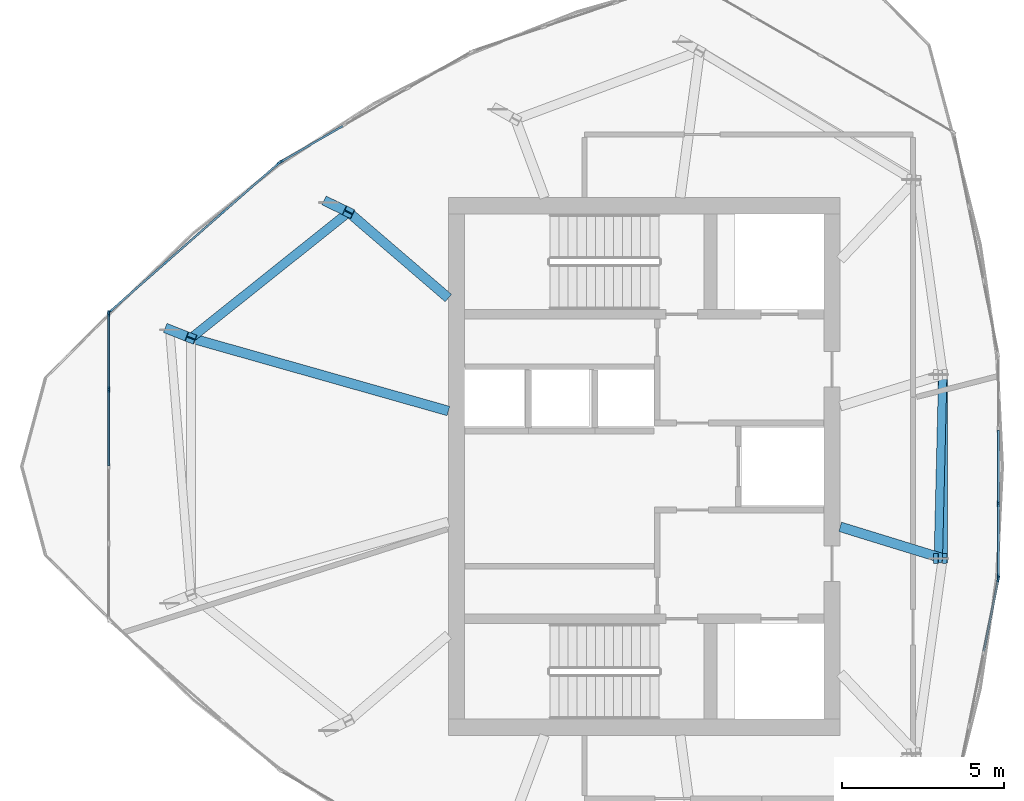
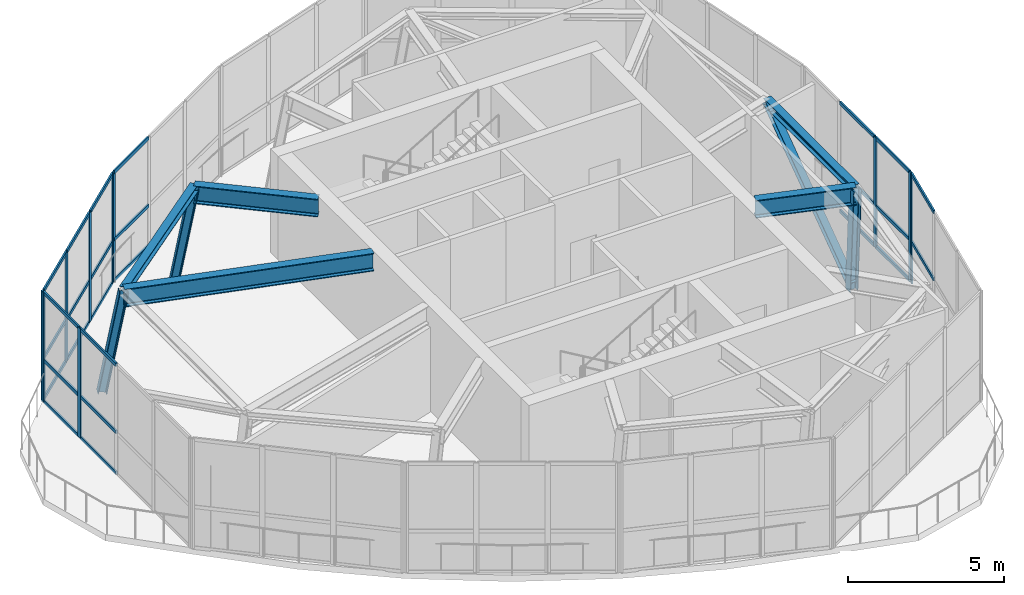
# One storey, part 3 of 11: 42 members, 3 beams, 5 elements without a shape of their own.
"""IFC4 building model written with IfcOpenShell, lengths in metres."""

from ifc_helpers import new_model, si_unit, direction, frame, origin, origin_2d, place, context, subcontext, project, spatial, rectangle, i_section, extrude, source, transform, mapped, material, layer, layer_set, material_profile, profile_set, type_object, element, aggregate, save


model = new_model("IFC4")

# Units and contexts
model_context = context("Model", 3, precision=1e-05, world=origin(), true_north=direction((0.0, 1.0)))
body_context = subcontext(model_context, "Body", "Model", "MODEL_VIEW")
ifc_project = project(units=[si_unit("LENGTHUNIT", "METRE"), si_unit("AREAUNIT", "SQUARE_METRE"), si_unit("VOLUMEUNIT", "CUBIC_METRE"), si_unit("PLANEANGLEUNIT", "RADIAN"), si_unit("MASSUNIT", "GRAM", prefix="KILO")], contexts=[model_context])

# Site, building, storey
site_placement = place(None, origin())
site = spatial("IfcSite", under=ifc_project, at=site_placement, CompositionType="ELEMENT")
building_placement = place(site_placement, origin())
building = spatial("IfcBuilding", under=site, at=building_placement, Name="Qafzar Sky-Pleat Residences", CompositionType="ELEMENT")
storey_placement = place(building_placement, frame((0.0, 0.0, 253.199951171875)))
storey = spatial("IfcBuildingStorey", under=building, at=storey_placement, Name="L76 Crown", CompositionType="ELEMENT", Elevation=253.199951171875)

# Members
ifc_material_1 = material(Name="Steel S460", Category="steel")
ifc_material_profile_1 = material_profile(ifc_material_1, i_section(OverallWidth=0.300048828125, OverallDepth=0.300048828125, WebThickness=0.010986328125, FlangeThickness=0.01904296875, FilletRadius=0.027099609375, at=origin_2d()), Name="HEB 300")
ifc_profile_set_1 = profile_set([ifc_material_profile_1], Name="Steel S460")
member_type_1 = type_object("IfcMemberType", Name="MEM-CROWN-RIB", PredefinedType="CHORD", material=ifc_profile_set_1)
shared_shape_1 = source(origin(), body_context, "Body", "SweptSolid", [
    extrude(i_section(OverallWidth=0.300048828125, OverallDepth=0.300048828125, WebThickness=0.010986328125, FlangeThickness=0.01904296875, FilletRadius=0.027099609375, at=origin_2d()), origin(), (0.0, 0.0, 1.0), 3.95947265625),
])
member_1_placement = place(storey_placement, frame((15.69580078125, 30.223388671875, 0.0), z_axis=(0.165986254429, -0.065420288243, 0.983955664259), x_axis=(0.366678631025, 0.930347667031, 0.0)))
element("IfcMember", 1, at=member_1_placement, inside=storey, type_object=member_type_1, Name="L76 Crown CROWN FRAME Inclined Rib 1", PredefinedType="CHORD", context=body_context, shape_type="MappedRepresentation", body=[
    mapped(shared_shape_1, transform((0.0, 0.0, 0.0), x_axis=(1.0, 0.0, 0.0), y_axis=(0.0, 1.0, 0.0), z_axis=(0.0, 0.0, 1.0), scale=1.0)),
])
shared_shape_2 = source(origin(), body_context, "Body", "SweptSolid", [
    extrude(i_section(OverallWidth=0.300048828125, OverallDepth=0.300048828125, WebThickness=0.010986328125, FlangeThickness=0.01904296875, FilletRadius=0.027099609375, at=origin_2d()), origin(), (0.0, 0.0, 1.0), 3.95703125),
])
member_2_placement = place(storey_placement, frame((20.595703125, 34.14990234375, 0.0), z_axis=(0.157758701981, -0.075887056487, 0.984557436926), x_axis=(0.433487101427, 0.901159771015, 0.0)))
element("IfcMember", 2, at=member_2_placement, inside=storey, type_object=member_type_1, Name="L76 Crown CROWN FRAME Inclined Rib 12", PredefinedType="CHORD", context=body_context, shape_type="MappedRepresentation", body=[
    mapped(shared_shape_2, transform((0.0, 0.0, 0.0), x_axis=(1.0, 0.0, 0.0), y_axis=(0.0, 1.0, 0.0), z_axis=(0.0, 0.0, 1.0), scale=1.0)),
])
shared_shape_3 = source(origin(), body_context, "Body", "SweptSolid", [
    extrude(i_section(OverallWidth=0.300048828125, OverallDepth=0.300048828125, WebThickness=0.010986328125, FlangeThickness=0.01904296875, FilletRadius=0.027099609375, at=origin_2d()), origin(), (0.0, 0.0, 1.0), 3.8984375),
])
member_3_placement = place(storey_placement, frame((39.427978515625, 23.160888671875, 0.0), z_axis=(0.035007979308, 0.000250504324, 0.999387001433), x_axis=(-0.007155451874, 0.999974399427, 0.0)))
element("IfcMember", 3, at=member_3_placement, inside=storey, type_object=member_type_1, Name="L76 Crown CROWN FRAME Inclined Rib 7", PredefinedType="CHORD", context=body_context, shape_type="MappedRepresentation", body=[
    mapped(shared_shape_3, transform((0.0, 0.0, 0.0), x_axis=(1.0, 0.0, 0.0), y_axis=(0.0, 1.0, 0.0), z_axis=(0.0, 0.0, 1.0), scale=1.0)),
])
ifc_material_2 = material(Name="Steel S355", Category="steel")
ifc_material_profile_2 = material_profile(ifc_material_2, i_section(OverallWidth=0.280029296875, OverallDepth=0.280029296875, WebThickness=0.010498046875, FlangeThickness=0.01806640625, FilletRadius=0.02392578125, at=origin_2d()), Name="HEB 280")
ifc_profile_set_2 = profile_set([ifc_material_profile_2], Name="Steel S355")
member_type_2 = type_object("IfcMemberType", Name="MEM-CROWN-RING", PredefinedType="PURLIN", material=ifc_profile_set_2)
shared_shape_4 = source(origin(), body_context, "Body", "SweptSolid", [
    extrude(i_section(OverallWidth=0.280029296875, OverallDepth=0.280029296875, WebThickness=0.010498046875, FlangeThickness=0.01806640625, FilletRadius=0.02392578125, at=origin_2d()), origin(), (0.0, 0.0, 1.0), 6.2275390625),
])
member_4_placement = place(storey_placement, frame((21.219970703125, 33.849609375, 3.906005859375), z_axis=(-0.781518588215, -0.623881957003, 0.0), x_axis=(0.623881957003, -0.781518588215, 0.0)))
element("IfcMember", 4, at=member_4_placement, inside=storey, type_object=member_type_2, Name="L76 Crown CROWN FRAME Ring Beam 12", PredefinedType="PURLIN", context=body_context, shape_type="MappedRepresentation", body=[
    mapped(shared_shape_4, transform((0.0, 0.0, 0.0), x_axis=(1.0, 0.0, 0.0), y_axis=(0.0, 1.0, 0.0), z_axis=(0.0, 0.0, 1.0), scale=1.0)),
])
shared_shape_5 = source(origin(), body_context, "Body", "SweptSolid", [
    extrude(i_section(OverallWidth=0.280029296875, OverallDepth=0.280029296875, WebThickness=0.010498046875, FlangeThickness=0.01806640625, FilletRadius=0.02392578125, at=origin_2d()), origin(), (0.0, 0.0, 1.0), 5.67626953125),
])
member_5_placement = place(storey_placement, frame((39.564453125, 23.161865234375, 3.906005859375), z_axis=(0.0, 1.0, 0.0), x_axis=(-1.0, 0.0, 0.0)))
element("IfcMember", 5, at=member_5_placement, inside=storey, type_object=member_type_2, Name="L76 Crown CROWN FRAME Ring Beam 7", PredefinedType="PURLIN", context=body_context, shape_type="MappedRepresentation", body=[
    mapped(shared_shape_5, transform((0.0, 0.0, 0.0), x_axis=(1.0, 0.0, 0.0), y_axis=(0.0, 1.0, 0.0), z_axis=(0.0, 0.0, 1.0), scale=1.0)),
])
ifc_material_profile_3 = material_profile(ifc_material_2, i_section(OverallWidth=0.260009765625, OverallDepth=0.260009765625, WebThickness=0.010009765625, FlangeThickness=0.017578125, FilletRadius=0.02392578125, at=origin_2d()), Name="HEB 260")
ifc_profile_set_3 = profile_set([ifc_material_profile_3], Name="Steel S355")
member_type_3 = type_object("IfcMemberType", Name="MEM-CROWN-DIAG", PredefinedType="BRACE", material=ifc_profile_set_3)
shared_shape_6 = source(origin(), body_context, "Body", "SweptSolid", [
    extrude(i_section(OverallWidth=0.260009765625, OverallDepth=0.260009765625, WebThickness=0.010009765625, FlangeThickness=0.017578125, FilletRadius=0.02392578125, at=origin_2d()), origin(), (0.0, 0.0, 1.0), 6.78662109375),
])
member_6_placement = place(storey_placement, frame((39.427978515625, 23.160888671875, 0.199951171875), z_axis=(0.020109216814, 0.836529030029, 0.547553468912), x_axis=(-0.999711191407, 0.024031932399, 0.0)))
element("IfcMember", 6, at=member_6_placement, inside=storey, type_object=member_type_3, Name="L76 Crown CROWN FRAME Wind Brace 7", PredefinedType="BRACE", context=body_context, shape_type="MappedRepresentation", body=[
    mapped(shared_shape_6, transform((0.0, 0.0, 0.0), x_axis=(1.0, 0.0, 0.0), y_axis=(0.0, 1.0, 0.0), z_axis=(0.0, 0.0, 1.0), scale=1.0)),
])

# Beams
ifc_material_profile_4 = material_profile(ifc_material_1, i_section(OverallWidth=0.300048828125, OverallDepth=0.699951171875, WebThickness=0.01708984375, FlangeThickness=0.031982421875, FilletRadius=0.027099609375, at=origin_2d()), Name="HEB 700")
ifc_profile_set_4 = profile_set([ifc_material_profile_4], Name="Steel S460")
beam_type = type_object("IfcBeamType", Name="BM-CHORD-HEB700", PredefinedType="BEAM", material=ifc_profile_set_4)
shared_shape_7 = source(origin(), body_context, "Body", "SweptSolid", [
    extrude(i_section(OverallWidth=0.300048828125, OverallDepth=0.699951171875, WebThickness=0.01708984375, FlangeThickness=0.031982421875, FilletRadius=0.027099609375, at=origin_2d()), origin(), (0.0, 0.0, 1.0), 8.259521484375),
])
beam_1_placement = place(storey_placement, frame((16.35302734375, 29.96435546875, 3.697998046875), z_axis=(0.962156051148, -0.272499051812, 0.0), x_axis=(0.272499051812, 0.962156051148, 0.0)))
element("IfcBeam", 7, at=beam_1_placement, inside=storey, type_object=beam_type, Name="L77 Crown Crown Rib Base Transfer Beam 1", PredefinedType="BEAM", context=body_context, shape_type="MappedRepresentation", body=[
    mapped(shared_shape_7, transform((0.0, 0.0, 0.0), x_axis=(1.0, 0.0, 0.0), y_axis=(0.0, 1.0, 0.0), z_axis=(0.0, 0.0, 1.0), scale=1.0)),
])
shared_shape_8 = source(origin(), body_context, "Body", "SweptSolid", [
    extrude(i_section(OverallWidth=0.300048828125, OverallDepth=0.699951171875, WebThickness=0.01708984375, FlangeThickness=0.031982421875, FilletRadius=0.027099609375, at=origin_2d()), origin(), (0.0, 0.0, 1.0), 4.06201171875),
])
beam_2_placement = place(storey_placement, frame((21.219970703125, 33.849609375, 3.697998046875), z_axis=(0.758267198788, -0.651943904982, 0.0), x_axis=(0.651943904982, 0.758267198788, 0.0)))
element("IfcBeam", 8, at=beam_2_placement, inside=storey, type_object=beam_type, Name="L77 Crown Crown Rib Base Transfer Beam 12", PredefinedType="BEAM", context=body_context, shape_type="MappedRepresentation", body=[
    mapped(shared_shape_8, transform((0.0, 0.0, 0.0), x_axis=(1.0, 0.0, 0.0), y_axis=(0.0, 1.0, 0.0), z_axis=(0.0, 0.0, 1.0), scale=1.0)),
])
shared_shape_9 = source(origin(), body_context, "Body", "SweptSolid", [
    extrude(i_section(OverallWidth=0.300048828125, OverallDepth=0.699951171875, WebThickness=0.01708984375, FlangeThickness=0.031982421875, FilletRadius=0.027099609375, at=origin_2d()), origin(), (0.0, 0.0, 1.0), 3.311279296875),
])
beam_3_placement = place(storey_placement, frame((39.564453125, 23.161865234375, 3.697998046875), z_axis=(-0.955702455447, 0.294334531873, 0.0), x_axis=(-0.294334531873, -0.955702455447, 0.0)))
element("IfcBeam", 9, at=beam_3_placement, inside=storey, type_object=beam_type, Name="L77 Crown Crown Rib Base Transfer Beam 7", PredefinedType="BEAM", context=body_context, shape_type="MappedRepresentation", body=[
    mapped(shared_shape_9, transform((0.0, 0.0, 0.0), x_axis=(1.0, 0.0, 0.0), y_axis=(0.0, 1.0, 0.0), z_axis=(0.0, 0.0, 1.0), scale=1.0)),
])

# Curtain wall, members
ifc_material_3 = material(Name="Anodised bronze aluminium framing", Category="aluminium")
ifc_layer = layer(ifc_material_3, 0.179931640625)
ifc_layer_set = layer_set([ifc_layer], Name="Anodised bronze aluminium framing")
curtain_wall_type = type_object("IfcCurtainWallType", Name="CW-SYS-06", PredefinedType="NOTDEFINED", material=ifc_layer_set)
curtain_wall_1_placement = place(storey_placement, origin())
curtain_wall_1 = element("IfcCurtainWall", 10, at=curtain_wall_1_placement, inside=storey, type_object=curtain_wall_type, Name="L76 Crown CW-06 Curtain Wall CW-CROWN-01-01", PredefinedType="NOTDEFINED")
ifc_material_4 = material(Name="Anodised bronze aluminium", Category="aluminium")
ifc_material_profile_5 = material_profile(ifc_material_4, rectangle(XDim=0.06005859375, YDim=0.179931640625, at=origin_2d()), Name="ALU MULLION 60x180")
ifc_profile_set_5 = profile_set([ifc_material_profile_5], Name="Anodised bronze aluminium")
member_type_4 = type_object("IfcMemberType", Name="CWM-06", PredefinedType="MULLION", material=ifc_profile_set_5)
shared_shape_10 = source(origin(), body_context, "Body", "SweptSolid", [
    extrude(rectangle(XDim=0.06005859375, YDim=0.179931640625, at=origin_2d()), origin(), (0.0, 0.0, 1.0), 4.300048828125),
])
member_7_placement = place(storey_placement, frame((13.81982421875, 30.72509765625, 0.0), z_axis=(0.0, 0.0, 1.0), x_axis=(1.0, 0.0, 0.0)))
member_7 = element("IfcMember", 11, at=member_7_placement, type_object=member_type_4, Name="CW-06 mullion 1", PredefinedType="MULLION", context=body_context, shape_type="MappedRepresentation", body=[
    mapped(shared_shape_10, transform((0.0, 0.0, 0.0), x_axis=(1.0, 0.0, 0.0), y_axis=(0.0, 1.0, 0.0), z_axis=(0.0, 0.0, 1.0), scale=1.0)),
])
member_8_placement = place(storey_placement, frame((13.81982421875, 28.37744140625, 0.0), z_axis=(0.0, 0.0, 1.0), x_axis=(1.0, 0.0, 0.0)))
member_8 = element("IfcMember", 12, at=member_8_placement, type_object=member_type_4, Name="CW-06 mullion 2", PredefinedType="MULLION", context=body_context, shape_type="MappedRepresentation", body=[
    mapped(shared_shape_10, transform((0.0, 0.0, 0.0), x_axis=(1.0, 0.0, 0.0), y_axis=(0.0, 1.0, 0.0), z_axis=(0.0, 0.0, 1.0), scale=1.0)),
])

# Curtain wall, member
curtain_wall_2_placement = place(storey_placement, origin())
curtain_wall_2 = element("IfcCurtainWall", 13, at=curtain_wall_2_placement, inside=storey, type_object=curtain_wall_type, Name="L76 Crown CW-06 Curtain Wall CW-CROWN-01-06", PredefinedType="NOTDEFINED")
member_9_placement = place(storey_placement, frame((41.278564453125, 22.534423828125, 0.0), z_axis=(0.0, 0.0, 1.0), x_axis=(-0.980581224497, 0.196113391089, 0.0)))
member_9 = element("IfcMember", 14, at=member_9_placement, type_object=member_type_4, Name="CW-06 mullion 4", PredefinedType="MULLION", context=body_context, shape_type="MappedRepresentation", body=[
    mapped(shared_shape_10, transform((0.0, 0.0, 0.0), x_axis=(1.0, 0.0, 0.0), y_axis=(0.0, 1.0, 0.0), z_axis=(0.0, 0.0, 1.0), scale=1.0)),
])

# Curtain wall, members
curtain_wall_3_placement = place(storey_placement, origin())
curtain_wall_3 = element("IfcCurtainWall", 15, at=curtain_wall_3_placement, inside=storey, type_object=curtain_wall_type, Name="L76 Crown CW-06 Curtain Wall CW-CROWN-01-07", PredefinedType="NOTDEFINED")
member_10_placement = place(storey_placement, frame((41.284423828125, 22.593994140625, 0.0), z_axis=(0.0, 0.0, 1.0), x_axis=(-1.0, 0.0, 0.0)))
member_10 = element("IfcMember", 16, at=member_10_placement, type_object=member_type_4, Name="CW-06 mullion 1", PredefinedType="MULLION", context=body_context, shape_type="MappedRepresentation", body=[
    mapped(shared_shape_10, transform((0.0, 0.0, 0.0), x_axis=(1.0, 0.0, 0.0), y_axis=(0.0, 1.0, 0.0), z_axis=(0.0, 0.0, 1.0), scale=1.0)),
])
member_11_placement = place(storey_placement, frame((41.284423828125, 24.854736328125, 0.0), z_axis=(0.0, 0.0, 1.0), x_axis=(-1.0, 0.0, 0.0)))
member_11 = element("IfcMember", 17, at=member_11_placement, type_object=member_type_4, Name="CW-06 mullion 2", PredefinedType="MULLION", context=body_context, shape_type="MappedRepresentation", body=[
    mapped(shared_shape_10, transform((0.0, 0.0, 0.0), x_axis=(1.0, 0.0, 0.0), y_axis=(0.0, 1.0, 0.0), z_axis=(0.0, 0.0, 1.0), scale=1.0)),
])

# Curtain wall, member
curtain_wall_4_placement = place(storey_placement, origin())
curtain_wall_4 = element("IfcCurtainWall", 18, at=curtain_wall_4_placement, inside=storey, type_object=curtain_wall_type, Name="L76 Crown CW-06 Curtain Wall CW-CROWN-01-11", PredefinedType="NOTDEFINED")
member_12_placement = place(storey_placement, frame((19.10986328125, 35.396484375, 0.0), z_axis=(0.0, 0.0, 1.0), x_axis=(0.499999986124, -0.866025411795, 0.0)))
member_12 = element("IfcMember", 19, at=member_12_placement, type_object=member_type_4, Name="CW-06 mullion 4", PredefinedType="MULLION", context=body_context, shape_type="MappedRepresentation", body=[
    mapped(shared_shape_10, transform((0.0, 0.0, 0.0), x_axis=(1.0, 0.0, 0.0), y_axis=(0.0, 1.0, 0.0), z_axis=(0.0, 0.0, 1.0), scale=1.0)),
])

# Curtain wall, members
curtain_wall_5_placement = place(storey_placement, origin())
curtain_wall_5 = element("IfcCurtainWall", 20, at=curtain_wall_5_placement, inside=storey, type_object=curtain_wall_type, Name="L76 Crown CW-06 Curtain Wall CW-CROWN-01-12", PredefinedType="NOTDEFINED")
member_13_placement = place(storey_placement, frame((19.0615234375, 35.361572265625, 0.0), z_axis=(0.0, 0.0, 1.0), x_axis=(0.6601294903, -0.751151819565, 0.0)))
member_13 = element("IfcMember", 21, at=member_13_placement, type_object=member_type_4, Name="CW-06 mullion 1", PredefinedType="MULLION", context=body_context, shape_type="MappedRepresentation", body=[
    mapped(shared_shape_10, transform((0.0, 0.0, 0.0), x_axis=(1.0, 0.0, 0.0), y_axis=(0.0, 1.0, 0.0), z_axis=(0.0, 0.0, 1.0), scale=1.0)),
])
member_14_placement = place(storey_placement, frame((17.329345703125, 33.83935546875, 0.0), z_axis=(0.0, 0.0, 1.0), x_axis=(0.6601294903, -0.751151819565, 0.0)))
member_14 = element("IfcMember", 22, at=member_14_placement, type_object=member_type_4, Name="CW-06 mullion 2", PredefinedType="MULLION", context=body_context, shape_type="MappedRepresentation", body=[
    mapped(shared_shape_10, transform((0.0, 0.0, 0.0), x_axis=(1.0, 0.0, 0.0), y_axis=(0.0, 1.0, 0.0), z_axis=(0.0, 0.0, 1.0), scale=1.0)),
])
member_15_placement = place(storey_placement, frame((15.574462890625, 32.297119140625, 0.0), z_axis=(0.0, 0.0, 1.0), x_axis=(0.6601294903, -0.751151819565, 0.0)))
member_15 = element("IfcMember", 23, at=member_15_placement, type_object=member_type_4, Name="CW-06 mullion 3", PredefinedType="MULLION", context=body_context, shape_type="MappedRepresentation", body=[
    mapped(shared_shape_10, transform((0.0, 0.0, 0.0), x_axis=(1.0, 0.0, 0.0), y_axis=(0.0, 1.0, 0.0), z_axis=(0.0, 0.0, 1.0), scale=1.0)),
])
member_16_placement = place(storey_placement, frame((13.84228515625, 30.77490234375, 0.0), z_axis=(0.0, 0.0, 1.0), x_axis=(0.6601294903, -0.751151819565, 0.0)))
member_16 = element("IfcMember", 24, at=member_16_placement, type_object=member_type_4, Name="CW-06 mullion 4", PredefinedType="MULLION", context=body_context, shape_type="MappedRepresentation", body=[
    mapped(shared_shape_10, transform((0.0, 0.0, 0.0), x_axis=(1.0, 0.0, 0.0), y_axis=(0.0, 1.0, 0.0), z_axis=(0.0, 0.0, 1.0), scale=1.0)),
])

# Member
ifc_material_profile_6 = material_profile(ifc_material_4, rectangle(XDim=0.06005859375, YDim=0.135009765625, at=origin_2d()), Name="ALU TRANSOM 60x135")
ifc_profile_set_6 = profile_set([ifc_material_profile_6], Name="Anodised bronze aluminium")
member_type_5 = type_object("IfcMemberType", Name="CWT-06", PredefinedType="USERDEFINED", material=ifc_profile_set_6)
shared_shape_11 = source(origin(), body_context, "Body", "SweptSolid", [
    extrude(rectangle(XDim=0.06005859375, YDim=0.135009765625, at=origin_2d()), origin(), (0.0, 0.0, 1.0), 2.28759765625),
])
member_17_placement = place(storey_placement, frame((13.81982421875, 30.695068359375, 0.030029296875), z_axis=(0.0, -1.0, 0.0), x_axis=(1.0, 0.0, 0.0)))
member_17 = element("IfcMember", 25, at=member_17_placement, type_object=member_type_5, Name="CW-06 transom 1.1", ObjectType="TRANSOM", PredefinedType="USERDEFINED", context=body_context, shape_type="MappedRepresentation", body=[
    mapped(shared_shape_11, transform((0.0, 0.0, 0.0), x_axis=(1.0, 0.0, 0.0), y_axis=(0.0, 1.0, 0.0), z_axis=(0.0, 0.0, 1.0), scale=1.0)),
])

member_18_placement = place(storey_placement, frame((13.81982421875, 30.695068359375, 1.634033203125), z_axis=(0.0, -1.0, 0.0), x_axis=(1.0, 0.0, 0.0)))
member_18 = element("IfcMember", 26, at=member_18_placement, type_object=member_type_5, Name="CW-06 transom 1.2", ObjectType="TRANSOM", PredefinedType="USERDEFINED", context=body_context, shape_type="MappedRepresentation", body=[
    mapped(shared_shape_11, transform((0.0, 0.0, 0.0), x_axis=(1.0, 0.0, 0.0), y_axis=(0.0, 1.0, 0.0), z_axis=(0.0, 0.0, 1.0), scale=1.0)),
])

member_19_placement = place(storey_placement, frame((13.81982421875, 30.695068359375, 4.27001953125), z_axis=(0.0, -1.0, 0.0), x_axis=(1.0, 0.0, 0.0)))
member_19 = element("IfcMember", 27, at=member_19_placement, type_object=member_type_5, Name="CW-06 transom 1.3", ObjectType="TRANSOM", PredefinedType="USERDEFINED", context=body_context, shape_type="MappedRepresentation", body=[
    mapped(shared_shape_11, transform((0.0, 0.0, 0.0), x_axis=(1.0, 0.0, 0.0), y_axis=(0.0, 1.0, 0.0), z_axis=(0.0, 0.0, 1.0), scale=1.0)),
])

shared_shape_12 = source(origin(), body_context, "Body", "SweptSolid", [
    extrude(rectangle(XDim=0.06005859375, YDim=0.135009765625, at=origin_2d()), origin(), (0.0, 0.0, 1.0), 2.317626953125),
])
member_20_placement = place(storey_placement, frame((13.81982421875, 28.34765625, 0.030029296875), z_axis=(0.0, -1.0, 0.0), x_axis=(1.0, 0.0, 0.0)))
member_20 = element("IfcMember", 28, at=member_20_placement, type_object=member_type_5, Name="CW-06 transom 2.1", ObjectType="TRANSOM", PredefinedType="USERDEFINED", context=body_context, shape_type="MappedRepresentation", body=[
    mapped(shared_shape_12, transform((0.0, 0.0, 0.0), x_axis=(1.0, 0.0, 0.0), y_axis=(0.0, 1.0, 0.0), z_axis=(0.0, 0.0, 1.0), scale=1.0)),
])

member_21_placement = place(storey_placement, frame((13.81982421875, 28.34765625, 1.634033203125), z_axis=(0.0, -1.0, 0.0), x_axis=(1.0, 0.0, 0.0)))
member_21 = element("IfcMember", 29, at=member_21_placement, type_object=member_type_5, Name="CW-06 transom 2.2", ObjectType="TRANSOM", PredefinedType="USERDEFINED", context=body_context, shape_type="MappedRepresentation", body=[
    mapped(shared_shape_12, transform((0.0, 0.0, 0.0), x_axis=(1.0, 0.0, 0.0), y_axis=(0.0, 1.0, 0.0), z_axis=(0.0, 0.0, 1.0), scale=1.0)),
])

member_22_placement = place(storey_placement, frame((13.81982421875, 28.34765625, 4.27001953125), z_axis=(0.0, -1.0, 0.0), x_axis=(1.0, 0.0, 0.0)))
member_22 = element("IfcMember", 30, at=member_22_placement, type_object=member_type_5, Name="CW-06 transom 2.3", ObjectType="TRANSOM", PredefinedType="USERDEFINED", context=body_context, shape_type="MappedRepresentation", body=[
    mapped(shared_shape_12, transform((0.0, 0.0, 0.0), x_axis=(1.0, 0.0, 0.0), y_axis=(0.0, 1.0, 0.0), z_axis=(0.0, 0.0, 1.0), scale=1.0)),
])

aggregate(curtain_wall_1, [member_7, member_8, member_17, member_18, member_19, member_20, member_21, member_22])

shared_shape_13 = source(origin(), body_context, "Body", "SweptSolid", [
    extrude(rectangle(XDim=0.06005859375, YDim=0.135009765625, at=origin_2d()), origin(), (0.0, 0.0, 1.0), 2.245849609375),
])
member_23_placement = place(storey_placement, frame((19.038818359375, 35.341796875, 0.030029296875), z_axis=(-0.751133863918, -0.660149921212, 0.0), x_axis=(0.660149921212, -0.751133863918, 0.0)))
member_23 = element("IfcMember", 31, at=member_23_placement, type_object=member_type_5, Name="CW-06 transom 1.1", ObjectType="TRANSOM", PredefinedType="USERDEFINED", context=body_context, shape_type="MappedRepresentation", body=[
    mapped(shared_shape_13, transform((0.0, 0.0, 0.0), x_axis=(1.0, 0.0, 0.0), y_axis=(0.0, 1.0, 0.0), z_axis=(0.0, 0.0, 1.0), scale=1.0)),
])

member_24_placement = place(storey_placement, frame((19.038818359375, 35.341796875, 1.634033203125), z_axis=(-0.751133863918, -0.660149921212, 0.0), x_axis=(0.660149921212, -0.751133863918, 0.0)))
member_24 = element("IfcMember", 32, at=member_24_placement, type_object=member_type_5, Name="CW-06 transom 1.2", ObjectType="TRANSOM", PredefinedType="USERDEFINED", context=body_context, shape_type="MappedRepresentation", body=[
    mapped(shared_shape_13, transform((0.0, 0.0, 0.0), x_axis=(1.0, 0.0, 0.0), y_axis=(0.0, 1.0, 0.0), z_axis=(0.0, 0.0, 1.0), scale=1.0)),
])

member_25_placement = place(storey_placement, frame((19.038818359375, 35.341796875, 4.27001953125), z_axis=(-0.751133863918, -0.660149921212, 0.0), x_axis=(0.660149921212, -0.751133863918, 0.0)))
member_25 = element("IfcMember", 33, at=member_25_placement, type_object=member_type_5, Name="CW-06 transom 1.3", ObjectType="TRANSOM", PredefinedType="USERDEFINED", context=body_context, shape_type="MappedRepresentation", body=[
    mapped(shared_shape_13, transform((0.0, 0.0, 0.0), x_axis=(1.0, 0.0, 0.0), y_axis=(0.0, 1.0, 0.0), z_axis=(0.0, 0.0, 1.0), scale=1.0)),
])

member_26_placement = place(storey_placement, frame((15.552001953125, 32.27734375, 0.030029296875), z_axis=(-0.751133863918, -0.660149921212, 0.0), x_axis=(0.660149921212, -0.751133863918, 0.0)))
member_26 = element("IfcMember", 34, at=member_26_placement, type_object=member_type_5, Name="CW-06 transom 3.1", ObjectType="TRANSOM", PredefinedType="USERDEFINED", context=body_context, shape_type="MappedRepresentation", body=[
    mapped(shared_shape_13, transform((0.0, 0.0, 0.0), x_axis=(1.0, 0.0, 0.0), y_axis=(0.0, 1.0, 0.0), z_axis=(0.0, 0.0, 1.0), scale=1.0)),
])

member_27_placement = place(storey_placement, frame((15.552001953125, 32.27734375, 1.634033203125), z_axis=(-0.751133863918, -0.660149921212, 0.0), x_axis=(0.660149921212, -0.751133863918, 0.0)))
member_27 = element("IfcMember", 35, at=member_27_placement, type_object=member_type_5, Name="CW-06 transom 3.2", ObjectType="TRANSOM", PredefinedType="USERDEFINED", context=body_context, shape_type="MappedRepresentation", body=[
    mapped(shared_shape_13, transform((0.0, 0.0, 0.0), x_axis=(1.0, 0.0, 0.0), y_axis=(0.0, 1.0, 0.0), z_axis=(0.0, 0.0, 1.0), scale=1.0)),
])

member_28_placement = place(storey_placement, frame((15.552001953125, 32.27734375, 4.27001953125), z_axis=(-0.751133863918, -0.660149921212, 0.0), x_axis=(0.660149921212, -0.751133863918, 0.0)))
member_28 = element("IfcMember", 36, at=member_28_placement, type_object=member_type_5, Name="CW-06 transom 3.3", ObjectType="TRANSOM", PredefinedType="USERDEFINED", context=body_context, shape_type="MappedRepresentation", body=[
    mapped(shared_shape_13, transform((0.0, 0.0, 0.0), x_axis=(1.0, 0.0, 0.0), y_axis=(0.0, 1.0, 0.0), z_axis=(0.0, 0.0, 1.0), scale=1.0)),
])

shared_shape_14 = source(origin(), body_context, "Body", "SweptSolid", [
    extrude(rectangle(XDim=0.06005859375, YDim=0.135009765625, at=origin_2d()), origin(), (0.0, 0.0, 1.0), 2.276123046875),
])
member_29_placement = place(storey_placement, frame((17.306640625, 33.819580078125, 0.030029296875), z_axis=(-0.751073020777, -0.660219143513, 0.0), x_axis=(0.660219143513, -0.751073020777, 0.0)))
member_29 = element("IfcMember", 37, at=member_29_placement, type_object=member_type_5, Name="CW-06 transom 2.1", ObjectType="TRANSOM", PredefinedType="USERDEFINED", context=body_context, shape_type="MappedRepresentation", body=[
    mapped(shared_shape_14, transform((0.0, 0.0, 0.0), x_axis=(1.0, 0.0, 0.0), y_axis=(0.0, 1.0, 0.0), z_axis=(0.0, 0.0, 1.0), scale=1.0)),
])

member_30_placement = place(storey_placement, frame((17.306640625, 33.819580078125, 1.634033203125), z_axis=(-0.751073020777, -0.660219143513, 0.0), x_axis=(0.660219143513, -0.751073020777, 0.0)))
member_30 = element("IfcMember", 38, at=member_30_placement, type_object=member_type_5, Name="CW-06 transom 2.2", ObjectType="TRANSOM", PredefinedType="USERDEFINED", context=body_context, shape_type="MappedRepresentation", body=[
    mapped(shared_shape_14, transform((0.0, 0.0, 0.0), x_axis=(1.0, 0.0, 0.0), y_axis=(0.0, 1.0, 0.0), z_axis=(0.0, 0.0, 1.0), scale=1.0)),
])

member_31_placement = place(storey_placement, frame((17.306640625, 33.819580078125, 4.27001953125), z_axis=(-0.751073020777, -0.660219143513, 0.0), x_axis=(0.660219143513, -0.751073020777, 0.0)))
member_31 = element("IfcMember", 39, at=member_31_placement, type_object=member_type_5, Name="CW-06 transom 2.3", ObjectType="TRANSOM", PredefinedType="USERDEFINED", context=body_context, shape_type="MappedRepresentation", body=[
    mapped(shared_shape_14, transform((0.0, 0.0, 0.0), x_axis=(1.0, 0.0, 0.0), y_axis=(0.0, 1.0, 0.0), z_axis=(0.0, 0.0, 1.0), scale=1.0)),
])

aggregate(curtain_wall_5, [member_13, member_14, member_15, member_16, member_23, member_24, member_25, member_29, member_30, member_31, member_26, member_27, member_28])

shared_shape_15 = source(origin(), body_context, "Body", "SweptSolid", [
    extrude(rectangle(XDim=0.06005859375, YDim=0.135009765625, at=origin_2d()), origin(), (0.0, 0.0, 1.0), 2.20068359375),
])
member_32_placement = place(storey_placement, frame((21.041748046875, 36.51171875, 0.030029296875), z_axis=(-0.866015613246, -0.500016957327, 0.0), x_axis=(0.500016957327, -0.866015613246, 0.0)))
member_32 = element("IfcMember", 40, at=member_32_placement, type_object=member_type_5, Name="CW-06 transom 3.1", ObjectType="TRANSOM", PredefinedType="USERDEFINED", context=body_context, shape_type="MappedRepresentation", body=[
    mapped(shared_shape_15, transform((0.0, 0.0, 0.0), x_axis=(1.0, 0.0, 0.0), y_axis=(0.0, 1.0, 0.0), z_axis=(0.0, 0.0, 1.0), scale=1.0)),
])

member_33_placement = place(storey_placement, frame((21.041748046875, 36.51171875, 1.634033203125), z_axis=(-0.866015613246, -0.500016957327, 0.0), x_axis=(0.500016957327, -0.866015613246, 0.0)))
member_33 = element("IfcMember", 41, at=member_33_placement, type_object=member_type_5, Name="CW-06 transom 3.2", ObjectType="TRANSOM", PredefinedType="USERDEFINED", context=body_context, shape_type="MappedRepresentation", body=[
    mapped(shared_shape_15, transform((0.0, 0.0, 0.0), x_axis=(1.0, 0.0, 0.0), y_axis=(0.0, 1.0, 0.0), z_axis=(0.0, 0.0, 1.0), scale=1.0)),
])

member_34_placement = place(storey_placement, frame((21.041748046875, 36.51171875, 4.27001953125), z_axis=(-0.866015613246, -0.500016957327, 0.0), x_axis=(0.500016957327, -0.866015613246, 0.0)))
member_34 = element("IfcMember", 42, at=member_34_placement, type_object=member_type_5, Name="CW-06 transom 3.3", ObjectType="TRANSOM", PredefinedType="USERDEFINED", context=body_context, shape_type="MappedRepresentation", body=[
    mapped(shared_shape_15, transform((0.0, 0.0, 0.0), x_axis=(1.0, 0.0, 0.0), y_axis=(0.0, 1.0, 0.0), z_axis=(0.0, 0.0, 1.0), scale=1.0)),
])

aggregate(curtain_wall_4, [member_12, member_32, member_33, member_34])

shared_shape_16 = source(origin(), body_context, "Body", "SweptSolid", [
    extrude(rectangle(XDim=0.06005859375, YDim=0.135009765625, at=origin_2d()), origin(), (0.0, 0.0, 1.0), 2.200927734375),
])
member_35_placement = place(storey_placement, frame((41.284423828125, 22.623779296875, 0.030029296875), z_axis=(0.0, 1.0, 0.0), x_axis=(-1.0, 0.0, 0.0)))
member_35 = element("IfcMember", 43, at=member_35_placement, type_object=member_type_5, Name="CW-06 transom 1.1", ObjectType="TRANSOM", PredefinedType="USERDEFINED", context=body_context, shape_type="MappedRepresentation", body=[
    mapped(shared_shape_16, transform((0.0, 0.0, 0.0), x_axis=(1.0, 0.0, 0.0), y_axis=(0.0, 1.0, 0.0), z_axis=(0.0, 0.0, 1.0), scale=1.0)),
])

member_36_placement = place(storey_placement, frame((41.284423828125, 22.623779296875, 1.634033203125), z_axis=(0.0, 1.0, 0.0), x_axis=(-1.0, 0.0, 0.0)))
member_36 = element("IfcMember", 44, at=member_36_placement, type_object=member_type_5, Name="CW-06 transom 1.2", ObjectType="TRANSOM", PredefinedType="USERDEFINED", context=body_context, shape_type="MappedRepresentation", body=[
    mapped(shared_shape_16, transform((0.0, 0.0, 0.0), x_axis=(1.0, 0.0, 0.0), y_axis=(0.0, 1.0, 0.0), z_axis=(0.0, 0.0, 1.0), scale=1.0)),
])

member_37_placement = place(storey_placement, frame((41.284423828125, 22.623779296875, 4.27001953125), z_axis=(0.0, 1.0, 0.0), x_axis=(-1.0, 0.0, 0.0)))
member_37 = element("IfcMember", 45, at=member_37_placement, type_object=member_type_5, Name="CW-06 transom 1.3", ObjectType="TRANSOM", PredefinedType="USERDEFINED", context=body_context, shape_type="MappedRepresentation", body=[
    mapped(shared_shape_16, transform((0.0, 0.0, 0.0), x_axis=(1.0, 0.0, 0.0), y_axis=(0.0, 1.0, 0.0), z_axis=(0.0, 0.0, 1.0), scale=1.0)),
])

shared_shape_17 = source(origin(), body_context, "Body", "SweptSolid", [
    extrude(rectangle(XDim=0.06005859375, YDim=0.135009765625, at=origin_2d()), origin(), (0.0, 0.0, 1.0), 2.24609375),
])
member_38_placement = place(storey_placement, frame((40.832275390625, 20.302734375, 1.634033203125), z_axis=(0.196095231202, 0.980584856247, 0.0), x_axis=(-0.980584856247, 0.196095231202, 0.0)))
member_38 = element("IfcMember", 46, at=member_38_placement, type_object=member_type_5, Name="CW-06 transom 3.2", ObjectType="TRANSOM", PredefinedType="USERDEFINED", context=body_context, shape_type="MappedRepresentation", body=[
    mapped(shared_shape_17, transform((0.0, 0.0, 0.0), x_axis=(1.0, 0.0, 0.0), y_axis=(0.0, 1.0, 0.0), z_axis=(0.0, 0.0, 1.0), scale=1.0)),
])

member_39_placement = place(storey_placement, frame((40.832275390625, 20.302734375, 4.27001953125), z_axis=(0.196095231202, 0.980584856247, 0.0), x_axis=(-0.980584856247, 0.196095231202, 0.0)))
member_39 = element("IfcMember", 47, at=member_39_placement, type_object=member_type_5, Name="CW-06 transom 3.3", ObjectType="TRANSOM", PredefinedType="USERDEFINED", context=body_context, shape_type="MappedRepresentation", body=[
    mapped(shared_shape_17, transform((0.0, 0.0, 0.0), x_axis=(1.0, 0.0, 0.0), y_axis=(0.0, 1.0, 0.0), z_axis=(0.0, 0.0, 1.0), scale=1.0)),
])

aggregate(curtain_wall_2, [member_9, member_38, member_39])

shared_shape_18 = source(origin(), body_context, "Body", "SweptSolid", [
    extrude(rectangle(XDim=0.06005859375, YDim=0.135009765625, at=origin_2d()), origin(), (0.0, 0.0, 1.0), 2.23095703125),
])
member_40_placement = place(storey_placement, frame((41.284423828125, 24.884521484375, 0.030029296875), z_axis=(0.0, 1.0, 0.0), x_axis=(-1.0, 0.0, 0.0)))
member_40 = element("IfcMember", 48, at=member_40_placement, type_object=member_type_5, Name="CW-06 transom 2.1", ObjectType="TRANSOM", PredefinedType="USERDEFINED", context=body_context, shape_type="MappedRepresentation", body=[
    mapped(shared_shape_18, transform((0.0, 0.0, 0.0), x_axis=(1.0, 0.0, 0.0), y_axis=(0.0, 1.0, 0.0), z_axis=(0.0, 0.0, 1.0), scale=1.0)),
])

member_41_placement = place(storey_placement, frame((41.284423828125, 24.884521484375, 1.634033203125), z_axis=(0.0, 1.0, 0.0), x_axis=(-1.0, 0.0, 0.0)))
member_41 = element("IfcMember", 49, at=member_41_placement, type_object=member_type_5, Name="CW-06 transom 2.2", ObjectType="TRANSOM", PredefinedType="USERDEFINED", context=body_context, shape_type="MappedRepresentation", body=[
    mapped(shared_shape_18, transform((0.0, 0.0, 0.0), x_axis=(1.0, 0.0, 0.0), y_axis=(0.0, 1.0, 0.0), z_axis=(0.0, 0.0, 1.0), scale=1.0)),
])

member_42_placement = place(storey_placement, frame((41.284423828125, 24.884521484375, 4.27001953125), z_axis=(0.0, 1.0, 0.0), x_axis=(-1.0, 0.0, 0.0)))
member_42 = element("IfcMember", 50, at=member_42_placement, type_object=member_type_5, Name="CW-06 transom 2.3", ObjectType="TRANSOM", PredefinedType="USERDEFINED", context=body_context, shape_type="MappedRepresentation", body=[
    mapped(shared_shape_18, transform((0.0, 0.0, 0.0), x_axis=(1.0, 0.0, 0.0), y_axis=(0.0, 1.0, 0.0), z_axis=(0.0, 0.0, 1.0), scale=1.0)),
])

aggregate(curtain_wall_3, [member_10, member_11, member_35, member_36, member_37, member_40, member_41, member_42])

save(model, "model.ifc")
